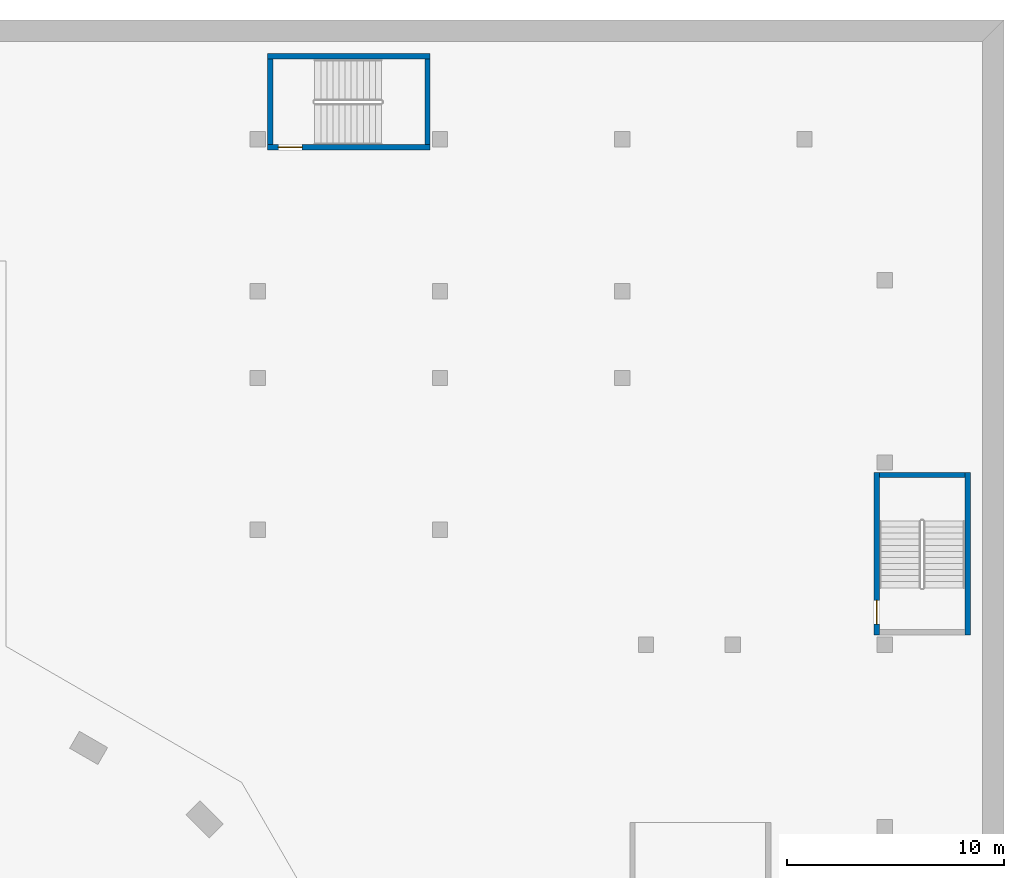
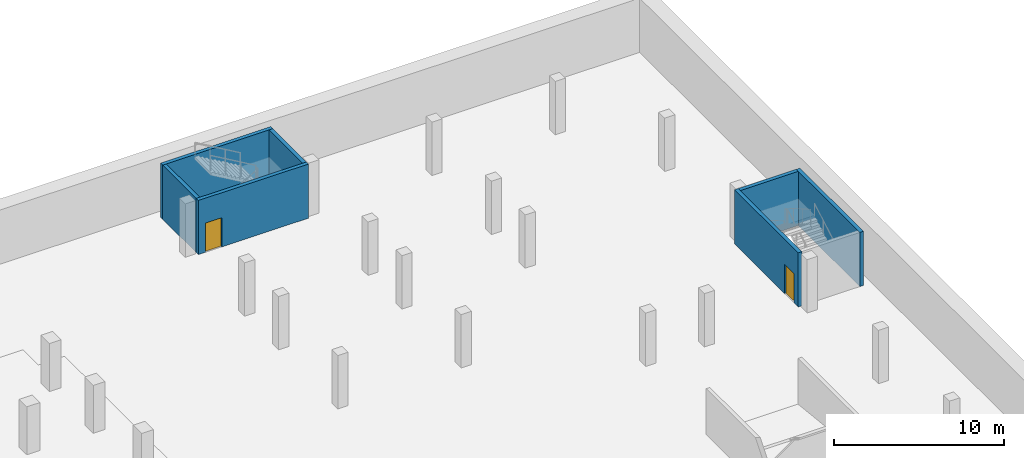
# One storey, part 12 of 25: 7 walls, 2 doors, 2 openings.
"""IFC4 building model written with IfcOpenShell, lengths in metres."""

from ifc_helpers import new_model, si_unit, direction, frame, frame_2d, origin, place, context, subcontext, project, spatial, rectangle, extrude, material, layer, layer_set, type_object, element, fill, save


model = new_model("IFC4")

# Units and contexts
model_context = context("Model", 3, precision=1e-05, world=origin(), true_north=direction((0.0, 1.0)))
body_context = subcontext(model_context, "Body", "Model", "MODEL_VIEW")
ifc_project = project(units=[si_unit("LENGTHUNIT", "METRE"), si_unit("AREAUNIT", "SQUARE_METRE"), si_unit("VOLUMEUNIT", "CUBIC_METRE"), si_unit("PLANEANGLEUNIT", "RADIAN"), si_unit("MASSUNIT", "GRAM", prefix="KILO")], contexts=[model_context])

# Site, building, storey
site_placement = place(None, origin())
site = spatial("IfcSite", under=ifc_project, at=site_placement, CompositionType="ELEMENT")
building_placement = place(site_placement, origin())
building = spatial("IfcBuilding", under=site, at=building_placement, Name="Verdalira Terraces Hotel", CompositionType="ELEMENT")
storey_placement = place(building_placement, frame((0.0, 0.0, -3.899902)))
storey = spatial("IfcBuildingStorey", under=building, at=storey_placement, Name="B1", CompositionType="ELEMENT", Elevation=-3.89990234375)

# Wall
ifc_material_1 = material(Name="Concrete C40", Category="concrete")
ifc_layer = layer(ifc_material_1, 0.25)
ifc_layer_set = layer_set([ifc_layer], Name="Stair enclosure wall 250 C40")
wall_type = type_object("IfcWallType", Name="Stair enclosure wall 250 C40", PredefinedType="SOLIDWALL", material=ifc_layer_set)
wall_1_placement = place(storey_placement, frame((20.050049, 52.324951, 0.0), z_axis=(0.0, 0.0, 1.0), x_axis=(1.0, 0.0, 0.0)))
element("IfcWall", 1, at=wall_1_placement, inside=storey, type_object=wall_type, Name="Stair BS3 enclosure wall", PredefinedType="SOLIDWALL", context=body_context, shape_type="SweptSolid", body=[
    extrude(rectangle(XDim=7.5, YDim=0.25, at=frame_2d((3.75, 0.0))), origin(), (0.0, 0.0, 1.0), 3.899902),
])

# Wall, opening, door
wall_2_placement = place(storey_placement, frame((20.050049, 48.125, 0.0), z_axis=(0.0, 0.0, 1.0), x_axis=(1.0, 0.0, 0.0)))
wall_2 = element("IfcWall", 2, at=wall_2_placement, inside=storey, type_object=wall_type, Name="Stair BS3 enclosure wall", PredefinedType="SOLIDWALL", context=body_context, shape_type="SweptSolid", body=[
    extrude(rectangle(XDim=7.5, YDim=0.25, at=frame_2d((3.75, 0.0))), origin(), (0.0, 0.0, 1.0), 3.899902),
])
opening_1_placement = place(wall_2_placement, frame((0.5, 0.0, 0.0)))
opening_1 = element("IfcOpeningElement", 3, at=opening_1_placement, cuts=wall_2, Name="Opening B1-D603", PredefinedType="OPENING", context=body_context, shape_type="SweptSolid", body=[
    extrude(rectangle(XDim=1.100098, YDim=2.100098, at=frame_2d((0.550049, 1.050049))), frame((0.0, 0.13501, 0.0), z_axis=(0.0, -1.0, 0.0), x_axis=(1.0, 0.0, 0.0)), (0.0, 0.0, 1.0), 0.27002),
])
ifc_material_2 = material(Name="Steel fire door", Category="steel")
door_type = type_object("IfcDoorType", Name="Stair door 1100 x 2100", OperationType="SINGLE_SWING_LEFT", PredefinedType="DOOR", material=ifc_material_2)
door_1_placement = place(opening_1_placement, origin())
door_1 = element("IfcDoor", 4, at=door_1_placement, inside=storey, type_object=door_type, Name="Stair BS3 door", OperationType="SINGLE_SWING_LEFT", OverallHeight=2.10009765625, OverallWidth=1.10009765625, PredefinedType="DOOR", context=body_context, shape_type="SweptSolid", body=[
    extrude(rectangle(XDim=1.100098, YDim=2.100098, at=frame_2d((0.550049, 1.050049))), frame((0.0, 0.024902, 0.0), z_axis=(0.0, -1.0, 0.0), x_axis=(1.0, 0.0, 0.0)), (0.0, 0.0, 1.0), 0.050049),
])
fill(opening_1, door_1)

# Walls
for number, where, z_axis, x_axis, name in (
    (5, (20.175049, 48.25, 0.0), (0.0, 0.0, 1.0), (0.0, 1.0, 0.0), "Stair BS3 enclosure wall"),
    (6, (27.425049, 48.25, 0.0), (0.0, 0.0, 1.0), (0.0, 1.0, 0.0), "Stair BS3 enclosure wall"),
):
    element("IfcWall", number, at=place(storey_placement, frame(where, z_axis=z_axis, x_axis=x_axis)), inside=storey, type_object=wall_type, Name=name, PredefinedType="SOLIDWALL", context=body_context, shape_type="SweptSolid", body=[
        extrude(rectangle(XDim=3.949951, YDim=0.25, at=frame_2d((1.975098, 0.0))), origin(), (0.0, 0.0, 1.0), 3.899902),
    ])

# Wall, opening, door
wall_3_placement = place(storey_placement, frame((48.125, 25.649902, 0.0), z_axis=(0.0, 0.0, 1.0), x_axis=(0.0, 1.0, 0.0)))
wall_3 = element("IfcWall", 7, at=wall_3_placement, inside=storey, type_object=wall_type, Name="Stair BS5 enclosure wall", PredefinedType="SOLIDWALL", context=body_context, shape_type="SweptSolid", body=[
    extrude(rectangle(XDim=7.5, YDim=0.25, at=frame_2d((3.75, 0.0))), origin(), (0.0, 0.0, 1.0), 3.899902),
])
opening_2_placement = place(wall_3_placement, frame((0.5, 0.0, 0.0)))
opening_2 = element("IfcOpeningElement", 8, at=opening_2_placement, cuts=wall_3, Name="Opening B1-D605", PredefinedType="OPENING", context=body_context, shape_type="SweptSolid", body=[
    extrude(rectangle(XDim=1.100098, YDim=2.100098, at=frame_2d((0.550049, 1.050049))), frame((0.0, 0.13501, 0.0), z_axis=(0.0, -1.0, 0.0), x_axis=(1.0, 0.0, 0.0)), (0.0, 0.0, 1.0), 0.27002),
])
door_2_placement = place(opening_2_placement, origin())
door_2 = element("IfcDoor", 9, at=door_2_placement, inside=storey, type_object=door_type, Name="Stair BS5 door", OperationType="SINGLE_SWING_RIGHT", OverallHeight=2.10009765625, OverallWidth=1.10009765625, PredefinedType="DOOR", context=body_context, shape_type="SweptSolid", body=[
    extrude(rectangle(XDim=1.100098, YDim=2.100098, at=frame_2d((0.550049, 1.050049))), frame((0.0, 0.024902, 0.0), z_axis=(0.0, -1.0, 0.0), x_axis=(1.0, 0.0, 0.0)), (0.0, 0.0, 1.0), 0.050049),
])
fill(opening_2, door_2)

# Walls
wall_4_placement = place(storey_placement, frame((52.324951, 25.649902, 0.0), z_axis=(0.0, 0.0, 1.0), x_axis=(0.0, 1.0, 0.0)))
element("IfcWall", 10, at=wall_4_placement, inside=storey, type_object=wall_type, Name="Stair BS5 enclosure wall", PredefinedType="SOLIDWALL", context=body_context, shape_type="SweptSolid", body=[
    extrude(rectangle(XDim=7.5, YDim=0.25, at=frame_2d((3.75, 0.0))), origin(), (0.0, 0.0, 1.0), 3.899902),
])
wall_5_placement = place(storey_placement, frame((52.199951, 33.024902, 0.0), z_axis=(0.0, 0.0, 1.0), x_axis=(-1.0, 0.0, 0.0)))
element("IfcWall", 11, at=wall_5_placement, inside=storey, type_object=wall_type, Name="Stair BS5 enclosure wall", PredefinedType="SOLIDWALL", context=body_context, shape_type="SweptSolid", body=[
    extrude(rectangle(XDim=3.949951, YDim=0.25, at=frame_2d((1.975098, 0.0))), origin(), (0.0, 0.0, 1.0), 3.899902),
])

save(model, "model.ifc")
